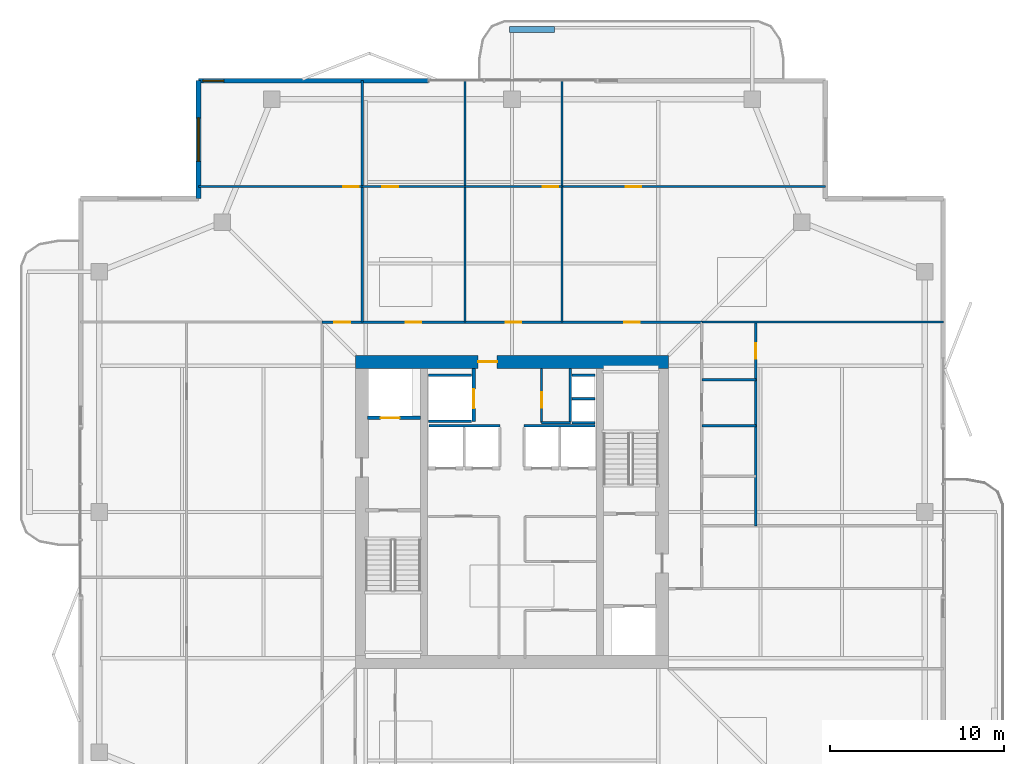
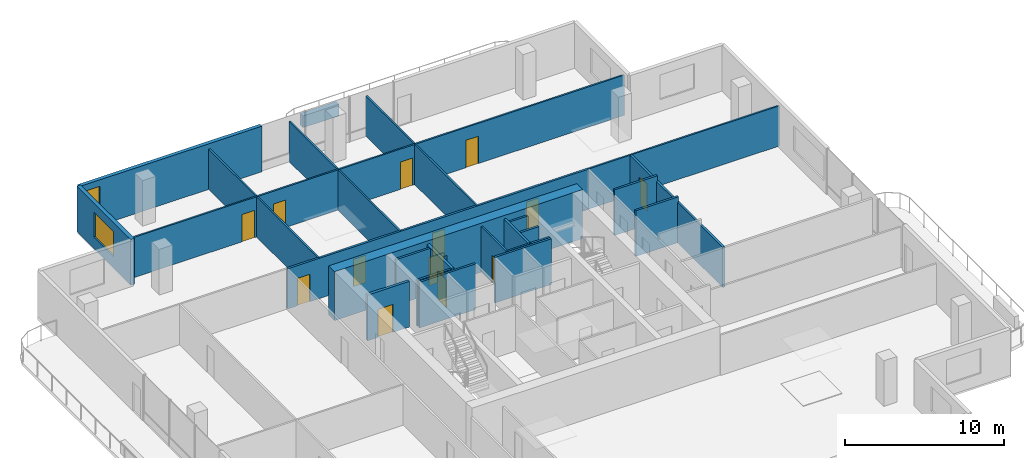
# One storey, part 20 of 25: 28 walls, 13 doors, 2 windows, 15 openings.
"""IFC4 building model written with IfcOpenShell, lengths in metres."""

from ifc_helpers import new_model, si_unit, direction, frame, frame_2d, origin, place, context, subcontext, project, spatial, rectangle, extrude, material, layer, layer_set, type_object, element, fill, save


model = new_model("IFC4")

# Units and contexts
model_context = context("Model", 3, precision=1e-05, world=origin(), true_north=direction((0.0, 1.0)))
body_context = subcontext(model_context, "Body", "Model", "MODEL_VIEW")
ifc_project = project(units=[si_unit("LENGTHUNIT", "METRE"), si_unit("AREAUNIT", "SQUARE_METRE"), si_unit("VOLUMEUNIT", "CUBIC_METRE"), si_unit("PLANEANGLEUNIT", "RADIAN"), si_unit("MASSUNIT", "GRAM", prefix="KILO")], contexts=[model_context])

# Site, building, storey
site_placement = place(None, origin())
site = spatial("IfcSite", under=ifc_project, at=site_placement, CompositionType="ELEMENT")
building_placement = place(site_placement, origin())
building = spatial("IfcBuilding", under=site, at=building_placement, Name="Belovzor Exchange Tower", CompositionType="ELEMENT")
storey_placement = place(building_placement, frame((0.0, 0.0, 254.10009765625)))
storey = spatial("IfcBuildingStorey", under=building, at=storey_placement, Name="L63", CompositionType="ELEMENT", Elevation=254.10009765625)

# Wall, opening, door
ifc_material_1 = material(Name="Acoustic Plasterboard on Galvanised Studs", Category="gypsum")
ifc_layer_1 = layer(ifc_material_1, 0.1201171875)
ifc_layer_set_1 = layer_set([ifc_layer_1], Name="Acoustic Plasterboard on Galvanised Studs")
wall_type_1 = type_object("IfcWallType", Name="Acoustic Double-Stud Partition Wall 120", PredefinedType="PARTITIONING", material=ifc_layer_set_1)
wall_1_placement = place(storey_placement, frame((10.800048828125, 47.485107421875, 0.0), z_axis=(0.0, 0.0, 1.0), x_axis=(1.0, 0.0, 0.0)))
wall_1 = element("IfcWall", 1, at=wall_1_placement, inside=storey, type_object=wall_type_1, Name="W-P120 Partition Wall W-L63-NHDIV-0", PredefinedType="PARTITIONING", context=body_context, shape_type="SweptSolid", body=[
    extrude(rectangle(XDim=9.39990234375, YDim=0.1201171875, at=frame_2d((4.699951171875, 0.0))), origin(), (0.0, 0.0, 1.0), 3.0849609375),
])
opening_1_placement = place(wall_1_placement, frame((8.300048828125, 0.0, 0.0)))
opening_1 = element("IfcOpeningElement", 2, at=opening_1_placement, cuts=wall_1, Name="Opening D-INT-090", PredefinedType="OPENING", context=body_context, shape_type="SweptSolid", body=[
    extrude(rectangle(XDim=0.89990234375, YDim=2.10009765625, at=frame_2d((0.449951171875, 1.050048828125))), frame((0.0, 0.070068359375, 0.0), z_axis=(0.0, -1.0, 0.0), x_axis=(1.0, 0.0, 0.0)), (0.0, 0.0, 1.0), 0.14013671875),
])
ifc_material_2 = material(Name="Veneered Hardwood Acoustic Leaf", Category="wood")
door_type_1 = type_object("IfcDoorType", Name="Trading Suite Acoustic Single Door 900x2100", OperationType="NOTDEFINED", PredefinedType="DOOR", material=ifc_material_2)
door_1_placement = place(opening_1_placement, origin())
door_1 = element("IfcDoor", 3, at=door_1_placement, inside=storey, type_object=door_type_1, Name="D-INT-090 Trading Suite Acoustic Single Door 900x2100", OperationType="SINGLE_SWING_RIGHT", OverallHeight=2.10009765625, OverallWidth=0.89990234375, PredefinedType="DOOR", context=body_context, shape_type="SweptSolid", body=[
    extrude(rectangle(XDim=0.89990234375, YDim=2.10009765625, at=frame_2d((0.449951171875, 1.050048828125))), frame((0.0, 0.02490234375, 0.0), z_axis=(0.0, -1.0, 0.0), x_axis=(1.0, 0.0, 0.0)), (0.0, 0.0, 1.0), 0.050048828125),
])
fill(opening_1, door_1)

# Wall
wall_2_placement = place(storey_placement, frame((20.199951171875, 39.699951171875, 0.0), z_axis=(0.0, 0.0, 1.0), x_axis=(0.0, 1.0, 0.0)))
element("IfcWall", 4, at=wall_2_placement, inside=storey, type_object=wall_type_1, Name="W-P120 Partition Wall W-L63-NDIV-1", PredefinedType="PARTITIONING", context=body_context, shape_type="SweptSolid", body=[
    extrude(rectangle(XDim=13.8701171875, YDim=0.1201171875, at=frame_2d((6.93505859375, 0.0))), origin(), (0.0, 0.0, 1.0), 3.0849609375),
])

# Wall, opening, door
wall_3_placement = place(storey_placement, frame((20.199951171875, 47.485107421875, 0.0), z_axis=(0.0, 0.0, 1.0), x_axis=(1.0, 0.0, 0.0)))
wall_3 = element("IfcWall", 5, at=wall_3_placement, inside=storey, type_object=wall_type_1, Name="W-P120 Partition Wall W-L63-NHDIV-1", PredefinedType="PARTITIONING", context=body_context, shape_type="SweptSolid", body=[
    extrude(rectangle(XDim=5.902099609375, YDim=0.1201171875, at=frame_2d((2.951171875, 0.0))), origin(), (0.0, 0.0, 1.0), 3.0849609375),
])
opening_2_placement = place(wall_3_placement, frame((1.158935546875, 0.0, 0.0)))
opening_2 = element("IfcOpeningElement", 6, at=opening_2_placement, cuts=wall_3, Name="Opening D-INT-090", PredefinedType="OPENING", context=body_context, shape_type="SweptSolid", body=[
    extrude(rectangle(XDim=0.89990234375, YDim=2.10009765625, at=frame_2d((0.449951171875, 1.050048828125))), frame((0.0, 0.070068359375, 0.0), z_axis=(0.0, -1.0, 0.0), x_axis=(1.0, 0.0, 0.0)), (0.0, 0.0, 1.0), 0.14013671875),
])
door_2_placement = place(opening_2_placement, origin())
door_2 = element("IfcDoor", 7, at=door_2_placement, inside=storey, type_object=door_type_1, Name="D-INT-090 Trading Suite Acoustic Single Door 900x2100", OperationType="SINGLE_SWING_RIGHT", OverallHeight=2.10009765625, OverallWidth=0.89990234375, PredefinedType="DOOR", context=body_context, shape_type="SweptSolid", body=[
    extrude(rectangle(XDim=0.89990234375, YDim=2.10009765625, at=frame_2d((0.449951171875, 1.050048828125))), frame((0.0, 0.02490234375, 0.0), z_axis=(0.0, -1.0, 0.0), x_axis=(1.0, 0.0, 0.0)), (0.0, 0.0, 1.0), 0.050048828125),
])
fill(opening_2, door_2)

# Wall
wall_4_placement = place(storey_placement, frame((26.10205078125, 39.699951171875, 0.0), z_axis=(0.0, 0.0, 1.0), x_axis=(0.0, 1.0, 0.0)))
element("IfcWall", 8, at=wall_4_placement, inside=storey, type_object=wall_type_1, Name="W-P120 Partition Wall W-L63-NDIV-2", PredefinedType="PARTITIONING", context=body_context, shape_type="SweptSolid", body=[
    extrude(rectangle(XDim=13.8701171875, YDim=0.1201171875, at=frame_2d((6.93505859375, 0.0))), origin(), (0.0, 0.0, 1.0), 3.0849609375),
])

# Wall, opening, door
wall_5_placement = place(storey_placement, frame((26.10205078125, 47.485107421875, 0.0), z_axis=(0.0, 0.0, 1.0), x_axis=(1.0, 0.0, 0.0)))
wall_5 = element("IfcWall", 9, at=wall_5_placement, inside=storey, type_object=wall_type_1, Name="W-P120 Partition Wall W-L63-NHDIV-2", PredefinedType="PARTITIONING", context=body_context, shape_type="SweptSolid", body=[
    extrude(rectangle(XDim=5.56494140625, YDim=0.1201171875, at=frame_2d((2.782470703125, 0.0))), origin(), (0.0, 0.0, 1.0), 3.0849609375),
])
opening_3_placement = place(wall_5_placement, frame((4.465087890625, 0.0, 0.0)))
opening_3 = element("IfcOpeningElement", 10, at=opening_3_placement, cuts=wall_5, Name="Opening D-INT-090", PredefinedType="OPENING", context=body_context, shape_type="SweptSolid", body=[
    extrude(rectangle(XDim=0.89990234375, YDim=2.10009765625, at=frame_2d((0.449951171875, 1.050048828125))), frame((0.0, 0.070068359375, 0.0), z_axis=(0.0, -1.0, 0.0), x_axis=(1.0, 0.0, 0.0)), (0.0, 0.0, 1.0), 0.14013671875),
])
door_3_placement = place(opening_3_placement, origin())
door_3 = element("IfcDoor", 11, at=door_3_placement, inside=storey, type_object=door_type_1, Name="D-INT-090 Trading Suite Acoustic Single Door 900x2100", OperationType="SINGLE_SWING_RIGHT", OverallHeight=2.10009765625, OverallWidth=0.89990234375, PredefinedType="DOOR", context=body_context, shape_type="SweptSolid", body=[
    extrude(rectangle(XDim=0.89990234375, YDim=2.10009765625, at=frame_2d((0.449951171875, 1.050048828125))), frame((0.0, 0.02490234375, 0.0), z_axis=(0.0, -1.0, 0.0), x_axis=(1.0, 0.0, 0.0)), (0.0, 0.0, 1.0), 0.050048828125),
])
fill(opening_3, door_3)

# Wall
wall_6_placement = place(storey_placement, frame((31.6669921875, 39.699951171875, 0.0), z_axis=(0.0, 0.0, 1.0), x_axis=(0.0, 1.0, 0.0)))
element("IfcWall", 12, at=wall_6_placement, inside=storey, type_object=wall_type_1, Name="W-P120 Partition Wall W-L63-NDIV-3", PredefinedType="PARTITIONING", context=body_context, shape_type="SweptSolid", body=[
    extrude(rectangle(XDim=13.8701171875, YDim=0.1201171875, at=frame_2d((6.93505859375, 0.0))), origin(), (0.0, 0.0, 1.0), 3.0849609375),
])

# Wall, opening, door
wall_7_placement = place(storey_placement, frame((31.6669921875, 47.485107421875, 0.0), z_axis=(0.0, 0.0, 1.0), x_axis=(1.0, 0.0, 0.0)))
wall_7 = element("IfcWall", 13, at=wall_7_placement, inside=storey, type_object=wall_type_1, Name="W-P120 Partition Wall W-L63-NHDIV-3", PredefinedType="PARTITIONING", context=body_context, shape_type="SweptSolid", body=[
    extrude(rectangle(XDim=15.133056640625, YDim=0.1201171875, at=frame_2d((7.56640625, 0.0))), origin(), (0.0, 0.0, 1.0), 3.0849609375),
])
opening_4_placement = place(wall_7_placement, frame((3.657958984375, 0.0, 0.0)))
opening_4 = element("IfcOpeningElement", 14, at=opening_4_placement, cuts=wall_7, Name="Opening D-INT-090", PredefinedType="OPENING", context=body_context, shape_type="SweptSolid", body=[
    extrude(rectangle(XDim=0.89990234375, YDim=2.10009765625, at=frame_2d((0.449951171875, 1.050048828125))), frame((0.0, 0.070068359375, 0.0), z_axis=(0.0, -1.0, 0.0), x_axis=(1.0, 0.0, 0.0)), (0.0, 0.0, 1.0), 0.14013671875),
])
door_4_placement = place(opening_4_placement, origin())
door_4 = element("IfcDoor", 15, at=door_4_placement, inside=storey, type_object=door_type_1, Name="D-INT-090 Trading Suite Acoustic Single Door 900x2100", OperationType="SINGLE_SWING_RIGHT", OverallHeight=2.10009765625, OverallWidth=0.89990234375, PredefinedType="DOOR", context=body_context, shape_type="SweptSolid", body=[
    extrude(rectangle(XDim=0.89990234375, YDim=2.10009765625, at=frame_2d((0.449951171875, 1.050048828125))), frame((0.0, 0.02490234375, 0.0), z_axis=(0.0, -1.0, 0.0), x_axis=(1.0, 0.0, 0.0)), (0.0, 0.0, 1.0), 0.050048828125),
])
fill(opening_4, door_4)

# Wall
wall_8_placement = place(storey_placement, frame((39.699951171875, 39.699951171875, 0.0), z_axis=(0.0, 0.0, 1.0), x_axis=(1.0, 0.0, 0.0)))
element("IfcWall", 16, at=wall_8_placement, inside=storey, type_object=wall_type_1, Name="W-P120 Partition Wall W-L63-END-NE", PredefinedType="PARTITIONING", context=body_context, shape_type="SweptSolid", body=[
    extrude(rectangle(XDim=13.8701171875, YDim=0.1201171875, at=frame_2d((6.93505859375, 0.0))), origin(), (0.0, 0.0, 1.0), 3.0849609375),
])

# Wall, opening, door
ifc_material_3 = material(Name="Fire-Rated Plasterboard on Galvanised Studs", Category="gypsum")
ifc_layer_2 = layer(ifc_material_3, 0.1201171875)
ifc_layer_set_2 = layer_set([ifc_layer_2], Name="Fire-Rated Plasterboard on Galvanised Studs")
wall_type_2 = type_object("IfcWallType", Name="Fire-Rated Double-Stud Partition Wall 120", PredefinedType="PARTITIONING", material=ifc_layer_set_2)
wall_9_placement = place(storey_placement, frame((30.5, 33.925048828125, 0.0), z_axis=(0.0, 0.0, 1.0), x_axis=(0.0, 1.0, 0.0)))
wall_9 = element("IfcWall", 17, at=wall_9_placement, inside=storey, type_object=wall_type_2, Name="W-P120F Partition Wall W-CRV-L63-W", PredefinedType="PARTITIONING", context=body_context, shape_type="SweptSolid", body=[
    extrude(rectangle(XDim=3.125, YDim=0.1201171875, at=frame_2d((1.5625, 0.0))), origin(), (0.0, 0.0, 1.0), 3.5),
])
opening_5_placement = place(wall_9_placement, frame((0.85009765625, 0.0, 0.0)))
opening_5 = element("IfcOpeningElement", 18, at=opening_5_placement, cuts=wall_9, Name="Opening D-FD60-090", PredefinedType="OPENING", context=body_context, shape_type="SweptSolid", body=[
    extrude(rectangle(XDim=0.89990234375, YDim=2.10009765625, at=frame_2d((0.449951171875, 1.050048828125))), frame((0.0, 0.070068359375, 0.0), z_axis=(0.0, -1.0, 0.0), x_axis=(1.0, 0.0, 0.0)), (0.0, 0.0, 1.0), 0.14013671875),
])
ifc_material_4 = material(Name="Acoustic Timber Fire Leaf", Category="wood")
door_type_2 = type_object("IfcDoorType", Name="Core Service & Restroom Fire Door 900x2100", OperationType="NOTDEFINED", PredefinedType="DOOR", material=ifc_material_4)
door_5_placement = place(opening_5_placement, origin())
door_5 = element("IfcDoor", 19, at=door_5_placement, inside=storey, type_object=door_type_2, Name="D-FD60-090 Core Service & Restroom Fire Door 900x2100", OperationType="SINGLE_SWING_LEFT", OverallHeight=2.10009765625, OverallWidth=0.89990234375, PredefinedType="DOOR", context=body_context, shape_type="SweptSolid", body=[
    extrude(rectangle(XDim=0.89990234375, YDim=2.10009765625, at=frame_2d((0.449951171875, 1.050048828125))), frame((0.0, 0.02490234375, 0.0), z_axis=(0.0, -1.0, 0.0), x_axis=(1.0, 0.0, 0.0)), (0.0, 0.0, 1.0), 0.050048828125),
])
fill(opening_5, door_5)

# Wall
wall_10_placement = place(storey_placement, frame((30.5, 33.925048828125, 0.0), z_axis=(0.0, 0.0, 1.0), x_axis=(1.0, 0.0, 0.0)))
element("IfcWall", 20, at=wall_10_placement, inside=storey, type_object=wall_type_2, Name="W-P120F Partition Wall W-CRV-L63-S", PredefinedType="PARTITIONING", context=body_context, shape_type="SweptSolid", body=[
    extrude(rectangle(XDim=1.64990234375, YDim=0.1201171875, at=frame_2d((0.824951171875, 0.0))), origin(), (0.0, 0.0, 1.0), 3.5),
])

# Wall, opening, door
ifc_material_5 = material(Name="Fire-Rated Gypsum Block and Mineral Wool", Category="gypsum")
ifc_layer_3 = layer(ifc_material_5, 0.14990234375)
ifc_layer_set_3 = layer_set([ifc_layer_3], Name="Fire-Rated Gypsum Block and Mineral Wool")
wall_type_3 = type_object("IfcWallType", Name="Fire-Rated Gypsum Block Corridor Wall 150", PredefinedType="PARTITIONING", material=ifc_layer_set_3)
wall_11_placement = place(storey_placement, frame((42.800048828125, 28.0, 0.0), z_axis=(0.0, 0.0, 1.0), x_axis=(0.0, 1.0, 0.0)))
wall_11 = element("IfcWall", 21, at=wall_11_placement, inside=storey, type_object=wall_type_3, Name="W-P150 Partition Wall W-L63-EWC-E", PredefinedType="PARTITIONING", context=body_context, shape_type="SweptSolid", body=[
    extrude(rectangle(XDim=11.699951171875, YDim=0.14990234375, at=frame_2d((5.85009765625, 0.0))), origin(), (0.0, 0.0, 1.0), 3.0849609375),
])
opening_6_placement = place(wall_11_placement, frame((9.60009765625, 0.0, 0.0)))
opening_6 = element("IfcOpeningElement", 22, at=opening_6_placement, cuts=wall_11, Name="Opening D-INT-090", PredefinedType="OPENING", context=body_context, shape_type="SweptSolid", body=[
    extrude(rectangle(XDim=0.89990234375, YDim=2.10009765625, at=frame_2d((0.449951171875, 1.050048828125))), frame((0.0, 0.0849609375, 0.0), z_axis=(0.0, -1.0, 0.0), x_axis=(1.0, 0.0, 0.0)), (0.0, 0.0, 1.0), 0.169921875),
])
door_6_placement = place(opening_6_placement, origin())
door_6 = element("IfcDoor", 23, at=door_6_placement, inside=storey, type_object=door_type_1, Name="D-INT-090 Trading Suite Acoustic Single Door 900x2100", OperationType="SINGLE_SWING_RIGHT", OverallHeight=2.10009765625, OverallWidth=0.89990234375, PredefinedType="DOOR", context=body_context, shape_type="SweptSolid", body=[
    extrude(rectangle(XDim=0.89990234375, YDim=2.10009765625, at=frame_2d((0.449951171875, 1.050048828125))), frame((0.0, 0.02490234375, 0.0), z_axis=(0.0, -1.0, 0.0), x_axis=(1.0, 0.0, 0.0)), (0.0, 0.0, 1.0), 0.050048828125),
])
fill(opening_6, door_6)

# Walls
for number, where, z_axis, x_axis, name in (
    (24, (39.699951171875, 36.39990234375, 0.0), (0.0, 0.0, 1.0), (1.0, 0.0, 0.0), "W-P150 Partition Wall W-L63-EWC-N"),
    (25, (39.699951171875, 33.75, 0.0), (0.0, 0.0, 1.0), (1.0, 0.0, 0.0), "W-P150 Partition Wall W-L63-EWC-D2"),
):
    element("IfcWall", number, at=place(storey_placement, frame(where, z_axis=z_axis, x_axis=x_axis)), inside=storey, type_object=wall_type_3, Name=name, PredefinedType="PARTITIONING", context=body_context, shape_type="SweptSolid", body=[
        extrude(rectangle(XDim=3.10009765625, YDim=0.14990234375, at=frame_2d((1.550048828125, 0.0))), origin(), (0.0, 0.0, 1.0), 3.5),
    ])

# Wall, openings, doors
wall_12_placement = place(storey_placement, frame((17.89990234375, 39.699951171875, 0.0), z_axis=(0.0, 0.0, 1.0), x_axis=(1.0, 0.0, 0.0)))
wall_12 = element("IfcWall", 26, at=wall_12_placement, inside=storey, type_object=wall_type_3, Name="W-P150 Partition Wall W-L63-CN", PredefinedType="PARTITIONING", context=body_context, shape_type="SweptSolid", body=[
    extrude(rectangle(XDim=21.800048828125, YDim=0.14990234375, at=frame_2d((10.89990234375, 0.0))), origin(), (0.0, 0.0, 1.0), 3.0849609375),
])
opening_7_placement = place(wall_12_placement, frame((0.699951171875, 0.0, 0.0)))
opening_7 = element("IfcOpeningElement", 27, at=opening_7_placement, cuts=wall_12, Name="Opening D-INT-090", PredefinedType="OPENING", context=body_context, shape_type="SweptSolid", body=[
    extrude(rectangle(XDim=0.89990234375, YDim=2.10009765625, at=frame_2d((0.449951171875, 1.050048828125))), frame((0.0, 0.0849609375, 0.0), z_axis=(0.0, -1.0, 0.0), x_axis=(1.0, 0.0, 0.0)), (0.0, 0.0, 1.0), 0.169921875),
])
opening_8_placement = place(wall_12_placement, frame((4.801025390625, 0.0, 0.0)))
opening_8 = element("IfcOpeningElement", 28, at=opening_8_placement, cuts=wall_12, Name="Opening D-INT-090", PredefinedType="OPENING", context=body_context, shape_type="SweptSolid", body=[
    extrude(rectangle(XDim=0.89990234375, YDim=2.10009765625, at=frame_2d((0.449951171875, 1.050048828125))), frame((0.0, 0.0849609375, 0.0), z_axis=(0.0, -1.0, 0.0), x_axis=(1.0, 0.0, 0.0)), (0.0, 0.0, 1.0), 0.169921875),
])
opening_9_placement = place(wall_12_placement, frame((10.534912109375, 0.0, 0.0)))
opening_9 = element("IfcOpeningElement", 29, at=opening_9_placement, cuts=wall_12, Name="Opening D-INT-090", PredefinedType="OPENING", context=body_context, shape_type="SweptSolid", body=[
    extrude(rectangle(XDim=0.89990234375, YDim=2.10009765625, at=frame_2d((0.449951171875, 1.050048828125))), frame((0.0, 0.0849609375, 0.0), z_axis=(0.0, -1.0, 0.0), x_axis=(1.0, 0.0, 0.0)), (0.0, 0.0, 1.0), 0.169921875),
])
opening_10_placement = place(wall_12_placement, frame((17.333984375, 0.0, 0.0)))
opening_10 = element("IfcOpeningElement", 30, at=opening_10_placement, cuts=wall_12, Name="Opening D-INT-090", PredefinedType="OPENING", context=body_context, shape_type="SweptSolid", body=[
    extrude(rectangle(XDim=0.89990234375, YDim=2.10009765625, at=frame_2d((0.449951171875, 1.050048828125))), frame((0.0, 0.0849609375, 0.0), z_axis=(0.0, -1.0, 0.0), x_axis=(1.0, 0.0, 0.0)), (0.0, 0.0, 1.0), 0.169921875),
])
door_7_placement = place(opening_7_placement, origin())
door_7 = element("IfcDoor", 31, at=door_7_placement, inside=storey, type_object=door_type_1, Name="D-INT-090 Trading Suite Acoustic Single Door 900x2100", OperationType="SINGLE_SWING_LEFT", OverallHeight=2.10009765625, OverallWidth=0.89990234375, PredefinedType="DOOR", context=body_context, shape_type="SweptSolid", body=[
    extrude(rectangle(XDim=0.89990234375, YDim=2.10009765625, at=frame_2d((0.449951171875, 1.050048828125))), frame((0.0, 0.02490234375, 0.0), z_axis=(0.0, -1.0, 0.0), x_axis=(1.0, 0.0, 0.0)), (0.0, 0.0, 1.0), 0.050048828125),
])
fill(opening_7, door_7)
door_8_placement = place(opening_8_placement, origin())
door_8 = element("IfcDoor", 32, at=door_8_placement, inside=storey, type_object=door_type_1, Name="D-INT-090 Trading Suite Acoustic Single Door 900x2100", OperationType="SINGLE_SWING_RIGHT", OverallHeight=2.10009765625, OverallWidth=0.89990234375, PredefinedType="DOOR", context=body_context, shape_type="SweptSolid", body=[
    extrude(rectangle(XDim=0.89990234375, YDim=2.10009765625, at=frame_2d((0.449951171875, 1.050048828125))), frame((0.0, 0.02490234375, 0.0), z_axis=(0.0, -1.0, 0.0), x_axis=(1.0, 0.0, 0.0)), (0.0, 0.0, 1.0), 0.050048828125),
])
fill(opening_8, door_8)
door_9_placement = place(opening_9_placement, origin())
door_9 = element("IfcDoor", 33, at=door_9_placement, inside=storey, type_object=door_type_1, Name="D-INT-090 Trading Suite Acoustic Single Door 900x2100", OperationType="SINGLE_SWING_LEFT", OverallHeight=2.10009765625, OverallWidth=0.89990234375, PredefinedType="DOOR", context=body_context, shape_type="SweptSolid", body=[
    extrude(rectangle(XDim=0.89990234375, YDim=2.10009765625, at=frame_2d((0.449951171875, 1.050048828125))), frame((0.0, 0.02490234375, 0.0), z_axis=(0.0, -1.0, 0.0), x_axis=(1.0, 0.0, 0.0)), (0.0, 0.0, 1.0), 0.050048828125),
])
fill(opening_9, door_9)
door_10_placement = place(opening_10_placement, origin())
door_10 = element("IfcDoor", 34, at=door_10_placement, inside=storey, type_object=door_type_1, Name="D-INT-090 Trading Suite Acoustic Single Door 900x2100", OperationType="SINGLE_SWING_RIGHT", OverallHeight=2.10009765625, OverallWidth=0.89990234375, PredefinedType="DOOR", context=body_context, shape_type="SweptSolid", body=[
    extrude(rectangle(XDim=0.89990234375, YDim=2.10009765625, at=frame_2d((0.449951171875, 1.050048828125))), frame((0.0, 0.02490234375, 0.0), z_axis=(0.0, -1.0, 0.0), x_axis=(1.0, 0.0, 0.0)), (0.0, 0.0, 1.0), 0.050048828125),
])
fill(opening_10, door_10)

# Wall, opening, window
ifc_material_6 = material(Name="Precast concrete C40/50", Category="concrete")
ifc_layer_4 = layer(ifc_material_6, 0.280029296875)
ifc_layer_set_4 = layer_set([ifc_layer_4], Name="Precast concrete C40/50")
wall_type_4 = type_object("IfcWallType", Name="Precast Concrete Notched Corner Frame Wall 280", PredefinedType="SOLIDWALL", material=ifc_layer_set_4)
wall_13_placement = place(storey_placement, frame((10.800048828125, 46.800048828125, 0.0), z_axis=(0.0, 0.0, 1.0), x_axis=(0.0, 1.0, 0.0)))
wall_13 = element("IfcWall", 35, at=wall_13_placement, inside=storey, type_object=wall_type_4, Name="W-CRN280 Precast Concrete Notched Corner Frame Wall 280 L63", PredefinedType="SOLIDWALL", context=body_context, shape_type="SweptSolid", body=[
    extrude(rectangle(XDim=6.77001953125, YDim=0.280029296875, at=frame_2d((3.385009765625, 0.0))), origin(), (0.0, 0.0, 1.0), 3.5),
])
opening_11_placement = place(wall_13_placement, frame((2.135009765625, 0.0, 0.89990234375)))
opening_11 = element("IfcOpeningElement", 36, at=opening_11_placement, cuts=wall_13, Name="Opening WN-CRN250", PredefinedType="OPENING", context=body_context, shape_type="SweptSolid", body=[
    extrude(rectangle(XDim=2.5, YDim=1.89990234375, at=frame_2d((1.25, 0.949951171875))), frame((0.0, 0.14990234375, 0.0), z_axis=(0.0, -1.0, 0.0), x_axis=(1.0, 0.0, 0.0)), (0.0, 0.0, 1.0), 0.300048828125),
])
ifc_material_7 = material(Name="Thermally Broken Aluminium and Triple Glazing", Category="aluminium")
window_type_1 = type_object("IfcWindowType", Name="Streamline Moderne Corner Wrap Ribbon Window 2500x1900", PartitioningType="SINGLE_PANEL", PredefinedType="WINDOW", material=ifc_material_7)
window_1_placement = place(opening_11_placement, origin())
window_1 = element("IfcWindow", 37, at=window_1_placement, inside=storey, type_object=window_type_1, Name="WN-CRN250 Streamline Moderne Corner Wrap Ribbon Window 2500x1900", OverallHeight=1.89990234375, OverallWidth=2.5, PartitioningType="SINGLE_PANEL", PredefinedType="WINDOW", context=body_context, shape_type="SweptSolid", body=[
    extrude(rectangle(XDim=2.5, YDim=1.89990234375, at=frame_2d((1.25, 0.949951171875))), frame((0.0, 0.030029296875, 0.0), z_axis=(0.0, -1.0, 0.0), x_axis=(1.0, 0.0, 0.0)), (0.0, 0.0, 1.0), 0.06005859375),
])
fill(opening_11, window_1)

ifc_material_8 = material(Name="Precast concrete C40/50", Category="concrete")
ifc_layer_5 = layer(ifc_material_8, 0.260009765625)
ifc_layer_set_5 = layer_set([ifc_layer_5], Name="Precast concrete C40/50")
wall_type_5 = type_object("IfcWallType", Name="Precast Concrete Perimeter Loggia Frame Wall 260", PredefinedType="SOLIDWALL", material=ifc_layer_set_5)
wall_14_placement = place(storey_placement, frame((10.800048828125, 53.570068359375, 0.0), z_axis=(0.0, 0.0, 1.0), x_axis=(1.0, 0.0, 0.0)))
wall_14 = element("IfcWall", 38, at=wall_14_placement, inside=storey, type_object=wall_type_5, Name="W-EXT260 Precast Concrete Perimeter Loggia Frame Wall 260 L63", PredefinedType="SOLIDWALL", context=body_context, shape_type="SweptSolid", body=[
    extrude(rectangle(XDim=13.199951171875, YDim=0.260009765625, at=frame_2d((6.60009765625, 0.0))), origin(), (0.0, 0.0, 1.0), 3.5),
])
opening_12_placement = place(wall_14_placement, frame((0.25, 0.0, 0.89990234375)))
opening_12 = element("IfcOpeningElement", 39, at=opening_12_placement, cuts=wall_14, Name="Opening WN-CRN120", PredefinedType="OPENING", context=body_context, shape_type="SweptSolid", body=[
    extrude(rectangle(XDim=1.199951171875, YDim=2.10009765625, at=frame_2d((0.60009765625, 1.050048828125))), frame((0.0, 0.139892578125, 0.0), z_axis=(0.0, -1.0, 0.0), x_axis=(1.0, 0.0, 0.0)), (0.0, 0.0, 1.0), 0.280029296875),
])
ifc_material_9 = material(Name="Thermally Broken Aluminium and Triple Glazing", Category="aluminium")
window_type_2 = type_object("IfcWindowType", Name="Streamline Notched Corner Window 1200x2100", PartitioningType="SINGLE_PANEL", PredefinedType="WINDOW", material=ifc_material_9)
window_2_placement = place(opening_12_placement, origin())
window_2 = element("IfcWindow", 40, at=window_2_placement, inside=storey, type_object=window_type_2, Name="WN-CRN120 Streamline Notched Corner Window 1200x2100", OverallHeight=2.10009765625, OverallWidth=1.199951171875, PartitioningType="SINGLE_PANEL", PredefinedType="WINDOW", context=body_context, shape_type="SweptSolid", body=[
    extrude(rectangle(XDim=1.199951171875, YDim=2.10009765625, at=frame_2d((0.60009765625, 1.050048828125))), frame((0.0, 0.030029296875, 0.0), z_axis=(0.0, -1.0, 0.0), x_axis=(1.0, 0.0, 0.0)), (0.0, 0.0, 1.0), 0.06005859375),
])
fill(opening_12, window_2)

# Walls
ifc_material_10 = material(Name="Precast concrete C40/50", Category="concrete")
ifc_layer_6 = layer(ifc_material_10, 0.35009765625)
ifc_layer_set_6 = layer_set([ifc_layer_6], Name="Precast concrete C40/50")
wall_type_6 = type_object("IfcWallType", Name="Precast Concrete Structural Tree Planter Trough 350", PredefinedType="PARAPET", material=ifc_layer_set_6)
wall_15_placement = place(storey_placement, frame((28.64990234375, 56.5, 0.0), z_axis=(0.0, 0.0, 1.0), x_axis=(1.0, 0.0, 0.0)))
element("IfcWall", 41, at=wall_15_placement, inside=storey, type_object=wall_type_6, Name="PT-350 Precast Concrete Structural Tree Planter Trough 350 L63", PredefinedType="PARAPET", context=body_context, shape_type="SweptSolid", body=[
    extrude(rectangle(XDim=2.60009765625, YDim=0.35009765625, at=frame_2d((1.300048828125, 0.0))), origin(), (0.0, 0.0, 1.0), 0.89990234375),
])
ifc_material_11 = material(Name="Concrete C50/60", Category="concrete")
ifc_layer_7 = layer(ifc_material_11, 0.14990234375)
ifc_layer_set_7 = layer_set([ifc_layer_7], Name="Concrete C50/60")
wall_type_7 = type_object("IfcWallType", Name="Reinforced Concrete Core Riser Shear Wall 150", PredefinedType="SHEAR", material=ifc_layer_set_7)
wall_16_placement = place(storey_placement, frame((32.14990234375, 34.0, 0.0), z_axis=(0.0, 0.0, 1.0), x_axis=(0.0, 1.0, 0.0)))
element("IfcWall", 42, at=wall_16_placement, inside=storey, type_object=wall_type_7, Name="W-C150S Core Shaft Wall W-RSR-L63-E", PredefinedType="SHEAR", context=body_context, shape_type="SweptSolid", body=[
    extrude(rectangle(XDim=3.050048828125, YDim=0.14990234375, at=frame_2d((1.52490234375, 0.0))), origin(), (0.0, 0.0, 1.0), 3.5),
])
for number, where, z_axis, x_axis, name in (
    (43, (32.25, 33.925048828125, 0.0), (0.0, 0.0, 1.0), (1.0, 0.0, 0.0), "W-C150S Core Shaft Wall W-RSR-L63-S"),
    (44, (32.25, 35.300048828125, 0.0), (0.0, 0.0, 1.0), (1.0, 0.0, 0.0), "W-C150S Core Shaft Wall W-RSR-L63-M"),
):
    element("IfcWall", number, at=place(storey_placement, frame(where, z_axis=z_axis, x_axis=x_axis)), inside=storey, type_object=wall_type_7, Name=name, PredefinedType="SHEAR", context=body_context, shape_type="SweptSolid", body=[
        extrude(rectangle(XDim=1.330078125, YDim=0.14990234375, at=frame_2d((0.6650390625, 0.0))), origin(), (0.0, 0.0, 1.0), 3.5),
    ])
for number, where, z_axis, x_axis, name in (
    (45, (24.0, 34.0, 0.0), (0.0, 0.0, 1.0), (1.0, 0.0, 0.0), "W-C150S Core Shaft Wall W-SH-L63-SL-01S"),
    (46, (24.0, 36.64990234375, 0.0), (0.0, 0.0, 1.0), (1.0, 0.0, 0.0), "W-C150S Core Shaft Wall W-SH-L63-SL-01N"),
):
    element("IfcWall", number, at=place(storey_placement, frame(where, z_axis=z_axis, x_axis=x_axis)), inside=storey, type_object=wall_type_7, Name=name, PredefinedType="SHEAR", context=body_context, shape_type="SweptSolid", body=[
        extrude(rectangle(XDim=2.47998046875, YDim=0.14990234375, at=frame_2d((1.239990234375, 0.0))), origin(), (0.0, 0.0, 1.0), 3.5),
    ])
wall_17_placement = place(storey_placement, frame((32.25, 36.64990234375, 0.0), z_axis=(0.0, 0.0, 1.0), x_axis=(1.0, 0.0, 0.0)))
element("IfcWall", 47, at=wall_17_placement, inside=storey, type_object=wall_type_7, Name="W-C150S Core Shaft Wall W-RSR-L63-N", PredefinedType="SHEAR", context=body_context, shape_type="SweptSolid", body=[
    extrude(rectangle(XDim=1.330078125, YDim=0.14990234375, at=frame_2d((0.6650390625, 0.0))), origin(), (0.0, 0.0, 1.0), 3.5),
])
for number, where, z_axis, x_axis, name in (
    (48, (24.02001953125, 33.760009765625, 0.0), (0.0, 0.0, 1.0), (1.0, 0.0, 0.0), "W-C150S Core Shaft Wall W-SHB-L63-PLH-NW"),
    (49, (29.5, 33.760009765625, 0.0), (0.0, 0.0, 1.0), (1.0, 0.0, 0.0), "W-C150S Core Shaft Wall W-SHB-L63-PLH-NE"),
):
    element("IfcWall", number, at=place(storey_placement, frame(where, z_axis=z_axis, x_axis=x_axis)), inside=storey, type_object=wall_type_7, Name=name, PredefinedType="SHEAR", context=body_context, shape_type="SweptSolid", body=[
        extrude(rectangle(XDim=4.080078125, YDim=0.14990234375, at=frame_2d((2.0400390625, 0.0))), origin(), (0.0, 0.0, 1.0), 3.5),
    ])

# Wall, opening, door
ifc_material_12 = material(Name="Concrete C50/60", Category="concrete")
ifc_layer_8 = layer(ifc_material_12, 0.199951171875)
ifc_layer_set_8 = layer_set([ifc_layer_8], Name="Concrete C50/60")
wall_type_8 = type_object("IfcWallType", Name="Reinforced Concrete Core Shaft Shear Wall 200", PredefinedType="SHEAR", material=ifc_layer_set_8)
wall_18_placement = place(storey_placement, frame((20.5, 34.199951171875, 0.0), z_axis=(0.0, 0.0, 1.0), x_axis=(1.0, 0.0, 0.0)))
wall_18 = element("IfcWall", 50, at=wall_18_placement, inside=storey, type_object=wall_type_8, Name="W-C200S Core Shaft Wall W-SH-L63-FFL-01", PredefinedType="SHEAR", context=body_context, shape_type="SweptSolid", body=[
    extrude(rectangle(XDim=3.050048828125, YDim=0.199951171875, at=frame_2d((1.52490234375, 0.0))), origin(), (0.0, 0.0, 1.0), 3.5),
])
opening_13_placement = place(wall_18_placement, frame((0.75, 0.0, 0.0)))
opening_13 = element("IfcOpeningElement", 51, at=opening_13_placement, cuts=wall_18, Name="Opening LD-110", PredefinedType="OPENING", context=body_context, shape_type="SweptSolid", body=[
    extrude(rectangle(XDim=1.10009765625, YDim=2.14990234375, at=frame_2d((0.550048828125, 1.074951171875))), frame((0.0, 0.10986328125, 0.0), z_axis=(0.0, -1.0, 0.0), x_axis=(1.0, 0.0, 0.0)), (0.0, 0.0, 1.0), 0.219970703125),
])
ifc_material_13 = material(Name="Stainless Steel Grade 304", Category="steel")
door_type_3 = type_object("IfcDoorType", Name="Automated Stainless Steel Lift Landing Door 1100x2150", OperationType="SLIDING_TO_RIGHT", PredefinedType="DOOR", material=ifc_material_13)
door_11_placement = place(opening_13_placement, origin())
door_11 = element("IfcDoor", 52, at=door_11_placement, inside=storey, type_object=door_type_3, Name="LD-110 Automated Stainless Steel Lift Landing Door 1100x2150", OperationType="SLIDING_TO_RIGHT", OverallHeight=2.14990234375, OverallWidth=1.10009765625, PredefinedType="DOOR", context=body_context, shape_type="SweptSolid", body=[
    extrude(rectangle(XDim=1.10009765625, YDim=2.14990234375, at=frame_2d((0.550048828125, 1.074951171875))), frame((0.0, 0.02490234375, 0.0), z_axis=(0.0, -1.0, 0.0), x_axis=(1.0, 0.0, 0.0)), (0.0, 0.0, 1.0), 0.050048828125),
])
fill(opening_13, door_11)

wall_19_placement = place(storey_placement, frame((26.60009765625, 34.0, 0.0), z_axis=(0.0, 0.0, 1.0), x_axis=(0.0, 1.0, 0.0)))
wall_19 = element("IfcWall", 53, at=wall_19_placement, inside=storey, type_object=wall_type_8, Name="W-C200S Core Shaft Wall W-SH-L63-SL-01", PredefinedType="SHEAR", context=body_context, shape_type="SweptSolid", body=[
    extrude(rectangle(XDim=3.050048828125, YDim=0.199951171875, at=frame_2d((1.52490234375, 0.0))), origin(), (0.0, 0.0, 1.0), 3.5),
])
opening_14_placement = place(wall_19_placement, frame((0.75, 0.0, 0.0)))
opening_14 = element("IfcOpeningElement", 54, at=opening_14_placement, cuts=wall_19, Name="Opening LD-110", PredefinedType="OPENING", context=body_context, shape_type="SweptSolid", body=[
    extrude(rectangle(XDim=1.10009765625, YDim=2.14990234375, at=frame_2d((0.550048828125, 1.074951171875))), frame((0.0, 0.10986328125, 0.0), z_axis=(0.0, -1.0, 0.0), x_axis=(1.0, 0.0, 0.0)), (0.0, 0.0, 1.0), 0.219970703125),
])
door_12_placement = place(opening_14_placement, origin())
door_12 = element("IfcDoor", 55, at=door_12_placement, inside=storey, type_object=door_type_3, Name="LD-110 Automated Stainless Steel Lift Landing Door 1100x2150", OperationType="SLIDING_TO_RIGHT", OverallHeight=2.14990234375, OverallWidth=1.10009765625, PredefinedType="DOOR", context=body_context, shape_type="SweptSolid", body=[
    extrude(rectangle(XDim=1.10009765625, YDim=2.14990234375, at=frame_2d((0.550048828125, 1.074951171875))), frame((0.0, 0.02490234375, 0.0), z_axis=(0.0, -1.0, 0.0), x_axis=(1.0, 0.0, 0.0)), (0.0, 0.0, 1.0), 0.050048828125),
])
fill(opening_14, door_12)

ifc_material_14 = material(Name="Concrete C50/60", Category="concrete")
ifc_layer_9 = layer(ifc_material_14, 0.75)
ifc_layer_set_9 = layer_set([ifc_layer_9], Name="Concrete C50/60")
wall_type_9 = type_object("IfcWallType", Name="Reinforced Concrete Core Shear Wall 750", PredefinedType="SHEAR", material=ifc_layer_set_9)
wall_20_placement = place(storey_placement, frame((19.800048828125, 37.425048828125, 0.0), z_axis=(0.0, 0.0, 1.0), x_axis=(1.0, 0.0, 0.0)))
wall_20 = element("IfcWall", 56, at=wall_20_placement, inside=storey, type_object=wall_type_9, Name="CW-S075 Core Shear Wall L63 N", PredefinedType="SHEAR", context=body_context, shape_type="SweptSolid", body=[
    extrude(rectangle(XDim=18.0, YDim=0.75, at=frame_2d((9.0, 0.0))), origin(), (0.0, 0.0, 1.0), 3.75),
])
opening_15_placement = place(wall_20_placement, frame((7.050048828125, 0.0, 0.0)))
opening_15 = element("IfcOpeningElement", 57, at=opening_15_placement, cuts=wall_20, Name="Opening D-FD90-110", PredefinedType="OPENING", context=body_context, shape_type="SweptSolid", body=[
    extrude(rectangle(XDim=1.10009765625, YDim=2.14990234375, at=frame_2d((0.550048828125, 1.074951171875))), frame((0.0, 0.385009765625, 0.0), z_axis=(0.0, -1.0, 0.0), x_axis=(1.0, 0.0, 0.0)), (0.0, 0.0, 1.0), 0.77001953125),
])
ifc_material_15 = material(Name="Fire-Rated Galvanised Steel Leaf", Category="steel")
door_type_4 = type_object("IfcDoorType", Name="Protected Escape Vestibule Fire Door 1100x2150", OperationType="NOTDEFINED", PredefinedType="DOOR", material=ifc_material_15)
door_13_placement = place(opening_15_placement, origin())
door_13 = element("IfcDoor", 58, at=door_13_placement, inside=storey, type_object=door_type_4, Name="D-FD90-110 Protected Escape Vestibule Fire Door 1100x2150", OperationType="SINGLE_SWING_LEFT", OverallHeight=2.14990234375, OverallWidth=1.10009765625, PredefinedType="DOOR", context=body_context, shape_type="SweptSolid", body=[
    extrude(rectangle(XDim=1.10009765625, YDim=2.14990234375, at=frame_2d((0.550048828125, 1.074951171875))), frame((0.0, 0.02490234375, 0.0), z_axis=(0.0, -1.0, 0.0), x_axis=(1.0, 0.0, 0.0)), (0.0, 0.0, 1.0), 0.050048828125),
])
fill(opening_15, door_13)

save(model, "model.ifc")
